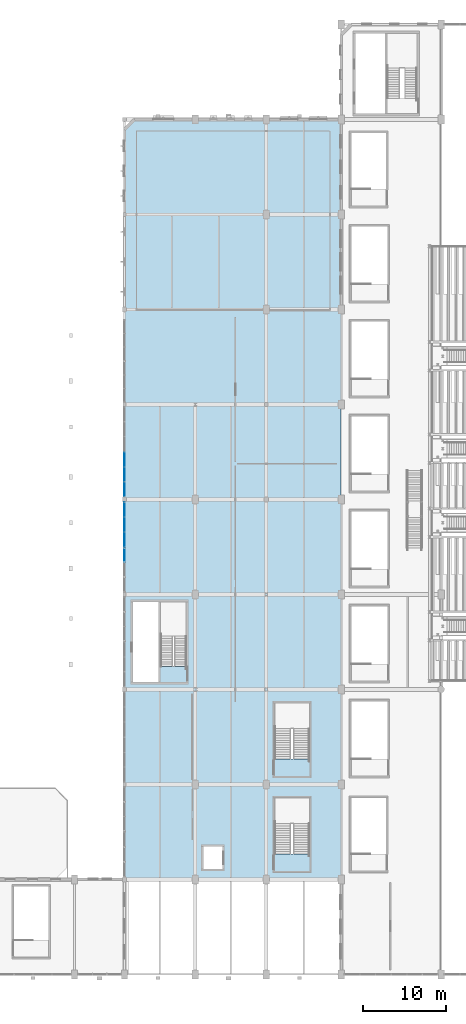
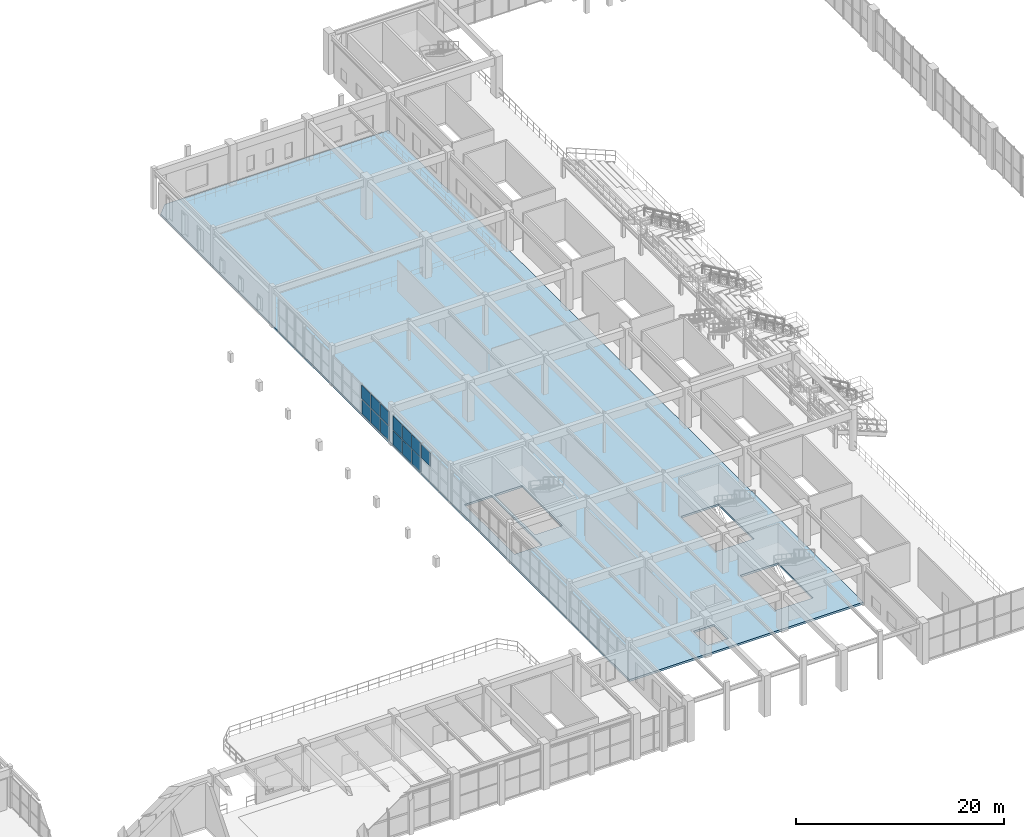
# One storey, part 71 of 106: 13 plates, 1 slab, 3 elements without a shape of their own.
"""IFC4 building model written with IfcOpenShell, lengths in metres."""

import ifcopenshell
import ifcopenshell.guid

model = None  # the IFC model being written
_history = None  # IfcOwnerHistory: only IFC2X3 demands one
_inside = {}  # id of a spatial element -> (the spatial element, [elements in it])
_under = {}  # id of a project, library or spatial element -> (it, [spatial elements below it])
_declared = {}  # id of a project -> (the project, [libraries it declares])
_typed = {}  # id of a type object -> (the type object, [elements of that type])
_made_of = {}  # id of a material, layer set ... -> (it, [elements and type objects made of it])


def new_model(schema):
    """Start an empty IFC model of exactly this schema.

    Asked for "IFC4X3", IfcOpenShell would pick the latest addendum, in which some entities
    have other attributes; the version numbers below select the first issue.
    IFC2X3 requires an IfcOwnerHistory on every rooted entity: one is made here for all.
    """
    global model, _history
    if schema == "IFC4X3":
        model = ifcopenshell.file(schema_version=(4, 3, 0, 0))
    else:
        model = ifcopenshell.file(schema=schema)
    _inside.clear()
    _under.clear()
    _declared.clear()
    _typed.clear()
    _made_of.clear()
    _history = None
    if model.schema == "IFC2X3":
        org = make("IfcOrganization", Name="unknown")
        user = make(
            "IfcPersonAndOrganization",
            ThePerson=make("IfcPerson", FamilyName="unknown"),
            TheOrganization=org,
        )
        app = make(
            "IfcApplication",
            ApplicationDeveloper=org,
            Version="unknown",
            ApplicationFullName="unknown",
            ApplicationIdentifier="unknown",
        )
        _history = make(
            "IfcOwnerHistory",
            OwningUser=user,
            OwningApplication=app,
            ChangeAction="ADDED",
            CreationDate=0,
        )
    return model


def make(cls, **values):
    """One entity of the class cls with the attributes given. An attribute that is None is left unset."""
    return model.create_entity(
        cls, **{name: value for name, value in values.items() if value is not None}
    )


def rooted(cls, **values):
    """An entity with a GlobalId (a new one), such as an element, a storey or a relation."""
    return make(cls, GlobalId=ifcopenshell.guid.new(), OwnerHistory=_history, **values)


def si_unit(unit_type, name, prefix=None):
    """IfcSIUnit, for example si_unit("LENGTHUNIT", "METRE", prefix="MILLI")."""
    return make("IfcSIUnit", UnitType=unit_type, Prefix=prefix, Name=name)


def assignment(units):
    """IfcUnitAssignment: the units of a project."""
    return None if units is None else make("IfcUnitAssignment", Units=units)


def point(xyz):
    """IfcCartesianPoint."""
    return None if xyz is None else make("IfcCartesianPoint", Coordinates=xyz)


def direction(xyz):
    """IfcDirection."""
    return None if xyz is None else make("IfcDirection", DirectionRatios=xyz)


def frame(location, z_axis=None, x_axis=None):
    """IfcAxis2Placement3D, a coordinate frame: its origin and axes. An axis left out is left unset."""
    return make(
        "IfcAxis2Placement3D",
        Location=point(location),
        Axis=direction(z_axis),
        RefDirection=direction(x_axis),
    )


def frame_2d(location, x_axis=None):
    """IfcAxis2Placement2D, a coordinate frame in the plane: its origin and x axis."""
    return make(
        "IfcAxis2Placement2D", Location=point(location), RefDirection=direction(x_axis)
    )


def origin():
    """The frame at (0, 0, 0) with its axes left unset."""
    return frame((0.0, 0.0, 0.0))


def origin_2d():
    """The frame at (0, 0) in the plane with its x axis left unset."""
    return frame_2d((0.0, 0.0))


def place(relative_to, where):
    """IfcLocalPlacement: puts the frame where relative to a parent placement (None: the world)."""
    return make(
        "IfcLocalPlacement", PlacementRelTo=relative_to, RelativePlacement=where
    )


def context(
    kind, dimensions, precision=None, world=None, true_north=None, identifier=None
):
    """IfcGeometricRepresentationContext, for example the 3D "Model" context."""
    return make(
        "IfcGeometricRepresentationContext",
        ContextIdentifier=identifier,
        ContextType=kind,
        CoordinateSpaceDimension=dimensions,
        Precision=precision,
        WorldCoordinateSystem=world,
        TrueNorth=true_north,
    )


def subcontext(parent, identifier, kind, view, scale=None):
    """IfcGeometricRepresentationSubContext, for example "Body" below "Model"."""
    return make(
        "IfcGeometricRepresentationSubContext",
        ContextIdentifier=identifier,
        ContextType=kind,
        ParentContext=parent,
        TargetScale=scale,
        TargetView=view,
    )


def project(units=None, contexts=None):
    """IfcProject with its units and contexts."""
    return rooted(
        "IfcProject",
        Name="project",
        RepresentationContexts=contexts,
        UnitsInContext=assignment(units),
    )


def spatial(cls, under=None, at=None, **own):
    """A site, building, storey or space (cls), placed at a placement, below another one or the project."""
    s = rooted(cls, ObjectPlacement=at, **own)
    if under is not None:
        _under.setdefault(under.id(), (under, []))[1].append(s)
    return s


def polyline(points):
    """IfcPolyline through the points."""
    return make("IfcPolyline", Points=[point(p) for p in points])


def profile(cls, at=None, kind="AREA", **sizes):
    """A parametric profile (cls). Its sizes go by their IFC names, for example OverallWidth=200.0."""
    return make(cls, ProfileType=kind, Position=at, **sizes)


def rectangle(**sizes):
    """IfcRectangleProfileDef."""
    return profile("IfcRectangleProfileDef", **sizes)


def outline(outer, holes=None, kind="AREA"):
    """IfcArbitraryClosedProfileDef: a profile drawn as a closed curve; with holes, ...WithVoids."""
    if holes is None:
        return make("IfcArbitraryClosedProfileDef", ProfileType=kind, OuterCurve=outer)
    return make(
        "IfcArbitraryProfileDefWithVoids",
        ProfileType=kind,
        OuterCurve=outer,
        InnerCurves=holes,
    )


def extrude(swept, where, along, depth):
    """IfcExtrudedAreaSolid: the profile swept, set in the frame where, extruded along a direction by depth."""
    return make(
        "IfcExtrudedAreaSolid",
        SweptArea=swept,
        Position=where,
        ExtrudedDirection=direction(along),
        Depth=depth,
    )


def shape(context_of_items, identifier, shape_type, items):
    """IfcShapeRepresentation: the items that make up one representation, for example the "Body"."""
    return make(
        "IfcShapeRepresentation",
        ContextOfItems=context_of_items,
        RepresentationIdentifier=identifier,
        RepresentationType=shape_type,
        Items=items,
    )


def material(Name=None, Category=None):
    """IfcMaterial."""
    return make("IfcMaterial", Name=Name, Category=Category)


def layer(
    of_material, thickness, ventilated=None, Name=None, Category=None, Priority=None
):
    """IfcMaterialLayer: one layer of a wall or slab, of a material (None: an air gap)."""
    return make(
        "IfcMaterialLayer",
        Material=of_material,
        LayerThickness=thickness,
        IsVentilated=ventilated,
        Name=Name,
        Category=Category,
        Priority=Priority,
    )


def layer_set(layers, Name=None):
    """IfcMaterialLayerSet."""
    return make("IfcMaterialLayerSet", MaterialLayers=layers, LayerSetName=Name)


def made_of(thing, what):
    """Note that an element or type object is made of a material, layer set ...; save() writes the relation."""
    if what is not None:
        _made_of.setdefault(what.id(), (what, []))[1].append(thing)
    return thing


def type_object(cls, material=None, **own):
    """A type object (cls), such as IfcWallType, which elements share."""
    return made_of(rooted(cls, **own), material)


def element(
    cls,
    number,
    at=None,
    inside=None,
    cuts=None,
    type_object=None,
    material=None,
    context=None,
    identifier="Body",
    shape_type=None,
    held_by="IfcProductDefinitionShape",
    body=None,
    shapes=None,
    **own,
):
    """One element of the class cls, such as IfcWall. Its Tag is "e" and its number.

    at: its placement. inside: the storey or other place that contains it. cuts: it is an
    opening in that element (IfcRelVoidsElement). A single representation is given by context,
    identifier, shape_type and body (its items); several are given by shapes. held_by: the class
    of the entity that holds the representations. save() writes the other relations.
    """
    e = rooted(cls, Tag="e%d" % number, ObjectPlacement=at, **own)
    if body is not None:
        shapes = [shape(context, identifier, shape_type, body)]
    if shapes is not None:
        e.Representation = make(held_by, Representations=shapes)
    if inside is not None:
        _inside.setdefault(inside.id(), (inside, []))[1].append(e)
    if cuts is not None:
        rooted(
            "IfcRelVoidsElement", RelatingBuildingElement=cuts, RelatedOpeningElement=e
        )
    if type_object is not None:
        _typed.setdefault(type_object.id(), (type_object, []))[1].append(e)
    return made_of(e, material)


def aggregate(whole, parts):
    """IfcRelAggregates: a whole, such as a stair, and the parts it consists of."""
    return rooted("IfcRelAggregates", RelatingObject=whole, RelatedObjects=parts)


def save(model, path):
    """Write the relations noted so far, then the file.

    IfcRelAggregates (storeys below a building ...), IfcRelContainedInSpatialStructure (elements
    in a storey), IfcRelDefinesByType, IfcRelAssociatesMaterial and IfcRelDeclares: one each for
    every whole, place, type object, material and project.
    """
    for whole, parts in _under.values():
        aggregate(whole, parts)
    for where, things in _inside.values():
        rooted(
            "IfcRelContainedInSpatialStructure",
            RelatedElements=things,
            RelatingStructure=where,
        )
    for kind, things in _typed.values():
        rooted("IfcRelDefinesByType", RelatedObjects=things, RelatingType=kind)
    for what, things in _made_of.values():
        rooted("IfcRelAssociatesMaterial", RelatedObjects=things, RelatingMaterial=what)
    for by, libraries in _declared.values():
        rooted("IfcRelDeclares", RelatingContext=by, RelatedDefinitions=libraries)
    model.write(path)


model = new_model("IFC4")

# Units and contexts
model_context = context("Model", 3, precision=1e-05, world=origin(), true_north=direction((0.0, 1.0)))
body_context = subcontext(model_context, "Body", "Model", "MODEL_VIEW")
ifc_project = project(units=[si_unit("LENGTHUNIT", "METRE"), si_unit("AREAUNIT", "SQUARE_METRE"), si_unit("VOLUMEUNIT", "CUBIC_METRE"), si_unit("PLANEANGLEUNIT", "RADIAN"), si_unit("MASSUNIT", "GRAM", prefix="KILO"), si_unit("POWERUNIT", "WATT"), si_unit("THERMODYNAMICTEMPERATUREUNIT", "KELVIN")], contexts=[model_context])

# Site, building, storey
site_placement = place(None, origin())
site = spatial("IfcSite", under=ifc_project, at=site_placement, CompositionType="ELEMENT")
building_placement = place(site_placement, origin())
building = spatial("IfcBuilding", under=site, at=building_placement, Name="Kelmbourne Parkland Aquatics Centre", CompositionType="ELEMENT")
storey_placement = place(building_placement, frame((0.0, 0.0, 5.39990234375)))
storey = spatial("IfcBuildingStorey", under=building, at=storey_placement, Name="L01", CompositionType="ELEMENT", Elevation=5.39990234375)

# Curtain wall, plate
ifc_material_1 = material(Name="Thermally broken anodised aluminium framing", Category="aluminium")
ifc_layer_1 = layer(ifc_material_1, 0.179931640625)
ifc_layer_set_1 = layer_set([ifc_layer_1], Name="Thermally broken anodised aluminium framing")
curtain_wall_type_1 = type_object("IfcCurtainWallType", Name="CW-02", PredefinedType="NOTDEFINED", material=ifc_layer_set_1)
curtain_wall_1_placement = place(storey_placement, origin())
curtain_wall_1 = element("IfcCurtainWall", 1, at=curtain_wall_1_placement, inside=storey, type_object=curtain_wall_type_1, Name="Facade curtain wall CW-L01-194", PredefinedType="NOTDEFINED")
ifc_material_2 = material(Name="Double-glazed low-e laminated safety glass", Category="glass")
ifc_layer_2 = layer(ifc_material_2, 0.02392578125)
ifc_layer_set_2 = layer_set([ifc_layer_2], Name="Double-glazed low-e laminated safety glass")
plate_type_1 = type_object("IfcPlateType", Name="PL-CWP-1", PredefinedType="CURTAIN_PANEL", material=ifc_layer_set_2)
plate_1_placement = place(storey_placement, frame((102.0, 51.13623046875, 1.90673828125), z_axis=(0.0, 0.0, 1.0), x_axis=(0.0, 1.0, 0.0)))
plate_1 = element("IfcPlate", 2, at=plate_1_placement, type_object=plate_type_1, Name="CW-L01-194 vision glazing 1-2", PredefinedType="CURTAIN_PANEL", context=body_context, shape_type="SweptSolid", body=[
    extrude(rectangle(XDim=1.6796875, YDim=0.02392578125, at=origin_2d()), origin(), (0.0, 0.0, 1.0), 1.5615234375),
])
aggregate(curtain_wall_1, [plate_1])

# Curtain wall, plates
ifc_layer_3 = layer(ifc_material_1, 0.179931640625)
ifc_layer_set_3 = layer_set([ifc_layer_3], Name="Thermally broken anodised aluminium framing")
curtain_wall_type_2 = type_object("IfcCurtainWallType", Name="CW-03", PredefinedType="NOTDEFINED", material=ifc_layer_set_3)
curtain_wall_2_placement = place(storey_placement, origin())
curtain_wall_2 = element("IfcCurtainWall", 3, at=curtain_wall_2_placement, inside=storey, type_object=curtain_wall_type_2, Name="Facade curtain wall CW-L01-195", PredefinedType="NOTDEFINED")
plate_2_placement = place(storey_placement, frame((102.0, 53.00048828125, 0.1171875), z_axis=(0.0, 0.0, 1.0), x_axis=(0.0, 1.0, 0.0)))
plate_2 = element("IfcPlate", 4, at=plate_2_placement, type_object=plate_type_1, Name="CW-L01-195 vision glazing 0-0", PredefinedType="CURTAIN_PANEL", context=body_context, shape_type="SweptSolid", body=[
    extrude(rectangle(XDim=1.73291015625, YDim=0.02392578125, at=origin_2d()), origin(), (0.0, 0.0, 1.0), 1.651611328125),
])
plate_3_placement = place(storey_placement, frame((102.0, 54.78662109375, 0.1171875), z_axis=(0.0, 0.0, 1.0), x_axis=(0.0, 1.0, 0.0)))
plate_3 = element("IfcPlate", 5, at=plate_3_placement, type_object=plate_type_1, Name="CW-L01-195 vision glazing 0-1", PredefinedType="CURTAIN_PANEL", context=body_context, shape_type="SweptSolid", body=[
    extrude(rectangle(XDim=1.73291015625, YDim=0.02392578125, at=origin_2d()), origin(), (0.0, 0.0, 1.0), 1.651611328125),
])
plate_4_placement = place(storey_placement, frame((102.0, 56.572509765625, 0.1171875), z_axis=(0.0, 0.0, 1.0), x_axis=(0.0, 1.0, 0.0)))
plate_4 = element("IfcPlate", 6, at=plate_4_placement, type_object=plate_type_1, Name="CW-L01-195 vision glazing 0-2", PredefinedType="CURTAIN_PANEL", context=body_context, shape_type="SweptSolid", body=[
    extrude(rectangle(XDim=1.73291015625, YDim=0.02392578125, at=origin_2d()), origin(), (0.0, 0.0, 1.0), 1.651611328125),
])
ifc_layer_4 = layer(ifc_material_2, 0.035888671875)
ifc_layer_set_4 = layer_set([ifc_layer_4], Name="Double-glazed low-e laminated safety glass")
plate_type_2 = type_object("IfcPlateType", Name="PL-CWP-2", PredefinedType="CURTAIN_PANEL", material=ifc_layer_set_4)
plate_5_placement = place(storey_placement, frame((102.0, 53.00048828125, 1.87646484375), z_axis=(0.0, 0.0, 1.0), x_axis=(0.0, 1.0, 0.0)))
plate_5 = element("IfcPlate", 7, at=plate_5_placement, type_object=plate_type_2, Name="CW-L01-195 vision glazing 1-0", PredefinedType="CURTAIN_PANEL", context=body_context, shape_type="SweptSolid", body=[
    extrude(rectangle(XDim=1.73291015625, YDim=0.035888671875, at=origin_2d()), origin(), (0.0, 0.0, 1.0), 1.651611328125),
])
plate_6_placement = place(storey_placement, frame((102.0, 54.78662109375, 1.87646484375), z_axis=(0.0, 0.0, 1.0), x_axis=(0.0, 1.0, 0.0)))
plate_6 = element("IfcPlate", 8, at=plate_6_placement, type_object=plate_type_2, Name="CW-L01-195 vision glazing 1-1", PredefinedType="CURTAIN_PANEL", context=body_context, shape_type="SweptSolid", body=[
    extrude(rectangle(XDim=1.73291015625, YDim=0.035888671875, at=origin_2d()), origin(), (0.0, 0.0, 1.0), 1.651611328125),
])
plate_7_placement = place(storey_placement, frame((102.0, 56.572509765625, 1.87646484375), z_axis=(0.0, 0.0, 1.0), x_axis=(0.0, 1.0, 0.0)))
plate_7 = element("IfcPlate", 9, at=plate_7_placement, type_object=plate_type_2, Name="CW-L01-195 vision glazing 1-2", PredefinedType="CURTAIN_PANEL", context=body_context, shape_type="SweptSolid", body=[
    extrude(rectangle(XDim=1.73291015625, YDim=0.035888671875, at=origin_2d()), origin(), (0.0, 0.0, 1.0), 1.651611328125),
])
aggregate(curtain_wall_2, [plate_2, plate_3, plate_4, plate_5, plate_6, plate_7])

ifc_layer_5 = layer(ifc_material_1, 0.179931640625)
ifc_layer_set_5 = layer_set([ifc_layer_5], Name="Thermally broken anodised aluminium framing")
curtain_wall_type_3 = type_object("IfcCurtainWallType", Name="CW-04", PredefinedType="NOTDEFINED", material=ifc_layer_set_5)
curtain_wall_3_placement = place(storey_placement, origin())
curtain_wall_3 = element("IfcCurtainWall", 10, at=curtain_wall_3_placement, inside=storey, type_object=curtain_wall_type_3, Name="Facade curtain wall CW-L01-196", PredefinedType="NOTDEFINED")
plate_8_placement = place(storey_placement, frame((102.0, 59.03076171875, 0.14697265625), z_axis=(0.0, 0.0, 1.0), x_axis=(0.0, 1.0, 0.0)))
plate_8 = element("IfcPlate", 11, at=plate_8_placement, type_object=plate_type_2, Name="CW-L01-196 vision glazing 0-0", PredefinedType="CURTAIN_PANEL", context=body_context, shape_type="SweptSolid", body=[
    extrude(rectangle(XDim=1.7197265625, YDim=0.035888671875, at=origin_2d()), origin(), (0.0, 0.0, 1.0), 1.6064453125),
])
plate_9_placement = place(storey_placement, frame((102.0, 60.8134765625, 0.14697265625), z_axis=(0.0, 0.0, 1.0), x_axis=(0.0, 1.0, 0.0)))
plate_9 = element("IfcPlate", 12, at=plate_9_placement, type_object=plate_type_2, Name="CW-L01-196 vision glazing 0-1", PredefinedType="CURTAIN_PANEL", context=body_context, shape_type="SweptSolid", body=[
    extrude(rectangle(XDim=1.719482421875, YDim=0.035888671875, at=origin_2d()), origin(), (0.0, 0.0, 1.0), 1.6064453125),
])
plate_10_placement = place(storey_placement, frame((102.0, 62.59619140625, 0.14697265625), z_axis=(0.0, 0.0, 1.0), x_axis=(0.0, 1.0, 0.0)))
plate_10 = element("IfcPlate", 13, at=plate_10_placement, type_object=plate_type_2, Name="CW-L01-196 vision glazing 0-2", PredefinedType="CURTAIN_PANEL", context=body_context, shape_type="SweptSolid", body=[
    extrude(rectangle(XDim=1.7197265625, YDim=0.035888671875, at=origin_2d()), origin(), (0.0, 0.0, 1.0), 1.6064453125),
])
ifc_layer_6 = layer(ifc_material_2, 0.048095703125)
ifc_layer_set_6 = layer_set([ifc_layer_6], Name="Double-glazed low-e laminated safety glass")
plate_type_3 = type_object("IfcPlateType", Name="PL-CWP-3", PredefinedType="CURTAIN_PANEL", material=ifc_layer_set_6)
plate_11_placement = place(storey_placement, frame((102.0, 59.03076171875, 1.8916015625), z_axis=(0.0, 0.0, 1.0), x_axis=(0.0, 1.0, 0.0)))
plate_11 = element("IfcPlate", 14, at=plate_11_placement, type_object=plate_type_3, Name="CW-L01-196 vision glazing 1-0", PredefinedType="CURTAIN_PANEL", context=body_context, shape_type="SweptSolid", body=[
    extrude(rectangle(XDim=1.7197265625, YDim=0.048095703125, at=origin_2d()), origin(), (0.0, 0.0, 1.0), 1.6064453125),
])
plate_12_placement = place(storey_placement, frame((102.0, 60.8134765625, 1.8916015625), z_axis=(0.0, 0.0, 1.0), x_axis=(0.0, 1.0, 0.0)))
plate_12 = element("IfcPlate", 15, at=plate_12_placement, type_object=plate_type_3, Name="CW-L01-196 vision glazing 1-1", PredefinedType="CURTAIN_PANEL", context=body_context, shape_type="SweptSolid", body=[
    extrude(rectangle(XDim=1.719482421875, YDim=0.048095703125, at=origin_2d()), origin(), (0.0, 0.0, 1.0), 1.6064453125),
])
plate_13_placement = place(storey_placement, frame((102.0, 62.59619140625, 1.8916015625), z_axis=(0.0, 0.0, 1.0), x_axis=(0.0, 1.0, 0.0)))
plate_13 = element("IfcPlate", 16, at=plate_13_placement, type_object=plate_type_3, Name="CW-L01-196 vision glazing 1-2", PredefinedType="CURTAIN_PANEL", context=body_context, shape_type="SweptSolid", body=[
    extrude(rectangle(XDim=1.7197265625, YDim=0.048095703125, at=origin_2d()), origin(), (0.0, 0.0, 1.0), 1.6064453125),
])
aggregate(curtain_wall_3, [plate_8, plate_9, plate_10, plate_11, plate_12, plate_13])

# Slab
ifc_material_3 = material(Name="Concrete C40/50", Category="concrete")
ifc_layer_7 = layer(ifc_material_3, 0.239990234375)
ifc_layer_set_7 = layer_set([ifc_layer_7], Name="Concrete C40/50")
slab_type = type_object("IfcSlabType", Name="SL-F2", PredefinedType="FLOOR", material=ifc_layer_set_7)
slab_placement = place(storey_placement, frame((0.0, 0.0, -0.239990234375)))
element("IfcSlab", 17, at=slab_placement, inside=storey, type_object=slab_type, Name="Suspended floor slab SLAB-L01-V4", PredefinedType="FLOOR", context=body_context, shape_type="SweptSolid", body=[
    extrude(outline(polyline([(102.050048828125, 12.199951171875), (128.0, 12.199951171875), (128.0, 103.39990234375), (103.199951171875, 103.39990234375), (102.050048828125, 102.199951171875), (102.050048828125, 12.199951171875)]), holes=[polyline([(111.449951171875, 16.14990234375), (113.75, 16.14990234375), (113.75, 13.449951171875), (111.449951171875, 13.449951171875), (111.449951171875, 16.14990234375)]), polyline([(120.0, 22.0), (124.199951171875, 22.0), (124.199951171875, 15.25), (120.0, 15.25), (120.0, 22.0)]), polyline([(120.0, 33.39990234375), (124.199951171875, 33.39990234375), (124.199951171875, 26.64990234375), (120.0, 26.64990234375), (120.0, 33.39990234375)]), polyline([(106.074951171875, 45.5), (106.074951171875, 35.89990234375), (103.0, 35.89990234375), (103.0, 45.5), (106.074951171875, 45.5)]), polyline([(109.39990234375, 45.5), (109.39990234375, 37.75), (106.324951171875, 37.75), (106.324951171875, 45.5), (109.39990234375, 45.5)])]), origin(), (0.0, 0.0, 1.0), 0.239990234375),
])

save(model, "model.ifc")
